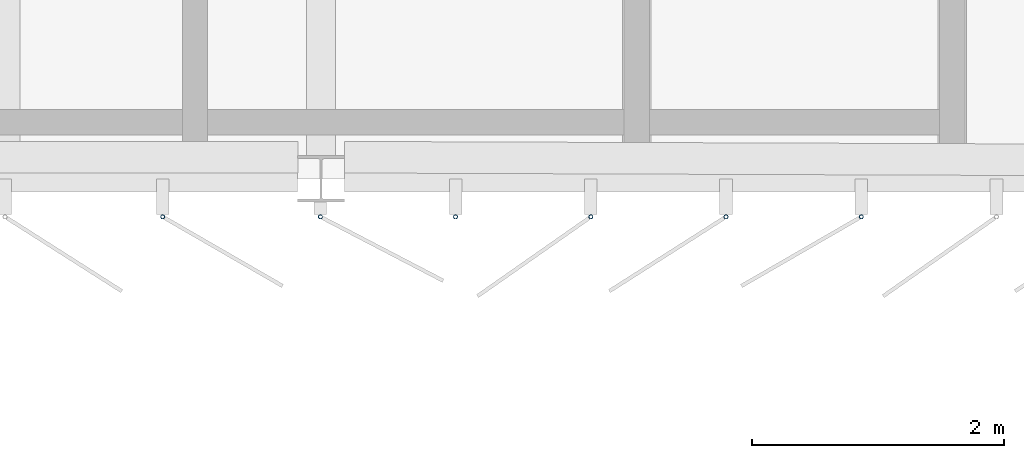
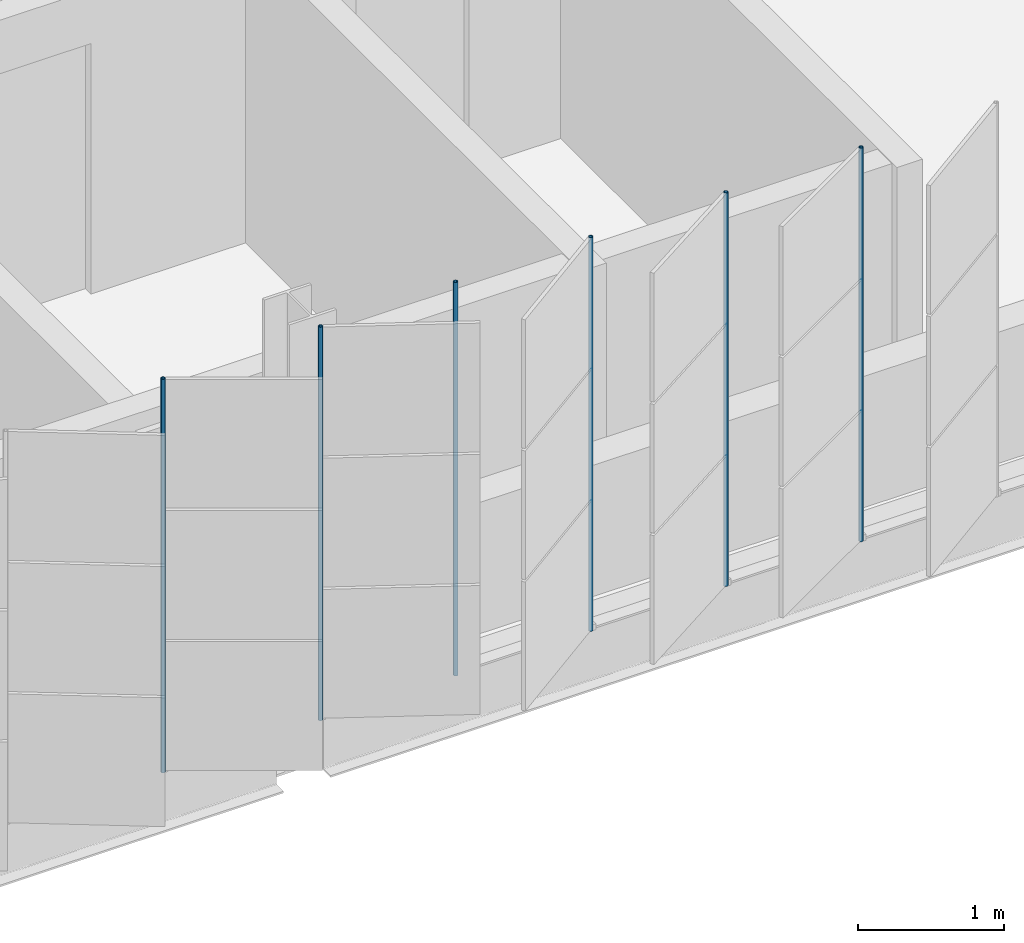
# One storey, part 109 of 199: 6 discrete accessories.
"""IFC4 building model written with IfcOpenShell, lengths in metres."""

from ifc_helpers import new_model, si_unit, direction, frame, origin, origin_2d, place, context, subcontext, project, spatial, hollow_circle, extrude, material, material_profile, profile_set, type_object, element, save


model = new_model("IFC4")

# Units and contexts
model_context = context("Model", 3, precision=1e-05, world=origin(), true_north=direction((0.0, 1.0)))
body_context = subcontext(model_context, "Body", "Model", "MODEL_VIEW")
ifc_project = project(units=[si_unit("LENGTHUNIT", "METRE"), si_unit("AREAUNIT", "SQUARE_METRE"), si_unit("VOLUMEUNIT", "CUBIC_METRE"), si_unit("PLANEANGLEUNIT", "RADIAN"), si_unit("MASSUNIT", "GRAM", prefix="KILO")], contexts=[model_context])

# Site, building, storey
site_placement = place(None, origin())
site = spatial("IfcSite", under=ifc_project, at=site_placement, CompositionType="ELEMENT")
building_placement = place(site_placement, origin())
building = spatial("IfcBuilding", under=site, at=building_placement, Name="Parallax Yard Mobility Hub", CompositionType="ELEMENT")
storey_placement = place(building_placement, frame((0.0, 0.0, 9.89990234375)))
storey = spatial("IfcBuildingStorey", under=building, at=storey_placement, Name="L03", CompositionType="ELEMENT", Elevation=9.89990234375)

# Discrete accessories
ifc_material = material(Name="Steel ASTM A500 Gr C, hot-dip galvanised", Category="steel")
ifc_material_profile = material_profile(ifc_material, hollow_circle(Radius=0.016845703125, WallThickness=0.003173828125, at=origin_2d()), Name="CHS 33.7x3.2")
ifc_profile_set = profile_set([ifc_material_profile], Name="Steel ASTM A500 Gr C, hot-dip galvanised")
discrete_accessory_type = type_object("IfcDiscreteAccessoryType", Name="Hinge post CHS 33.7x3.2", PredefinedType="BRACKET", material=ifc_profile_set)
for number, where, z_axis, x_axis, name in (
    (1, (148.744384765625, 112.199951171875, 0.0), (0.0, 0.0, 1.0), (1.0, 0.0, 0.0), "Hinge post bay 14.6 level L03"),
    (2, (149.993408203125, 112.199951171875, 0.0), (0.0, 0.0, 1.0), (1.0, 0.0, 0.0), "Hinge post bay 15.1 level L03"),
    (3, (151.06494140625, 112.199951171875, 0.0), (0.0, 0.0, 1.0), (1.0, 0.0, 0.0), "Hinge post bay 15.2 level L03"),
    (4, (152.136474609375, 112.199951171875, 0.0), (0.0, 0.0, 1.0), (1.0, 0.0, 0.0), "Hinge post bay 15.3 level L03"),
    (5, (153.2080078125, 112.199951171875, 0.0), (0.0, 0.0, 1.0), (1.0, 0.0, 0.0), "Hinge post bay 15.4 level L03"),
    (6, (154.279541015625, 112.199951171875, 0.0), (0.0, 0.0, 1.0), (1.0, 0.0, 0.0), "Hinge post bay 15.5 level L03"),
):
    element("IfcDiscreteAccessory", number, at=place(storey_placement, frame(where, z_axis=z_axis, x_axis=x_axis)), inside=storey, type_object=discrete_accessory_type, Name=name, PredefinedType="BRACKET", context=body_context, shape_type="SweptSolid", body=[
        extrude(hollow_circle(Radius=0.016845703125, WallThickness=0.003173828125, at=origin_2d()), origin(), (0.0, 0.0, 1.0), 3.300048828125),
    ])

save(model, "model.ifc")
